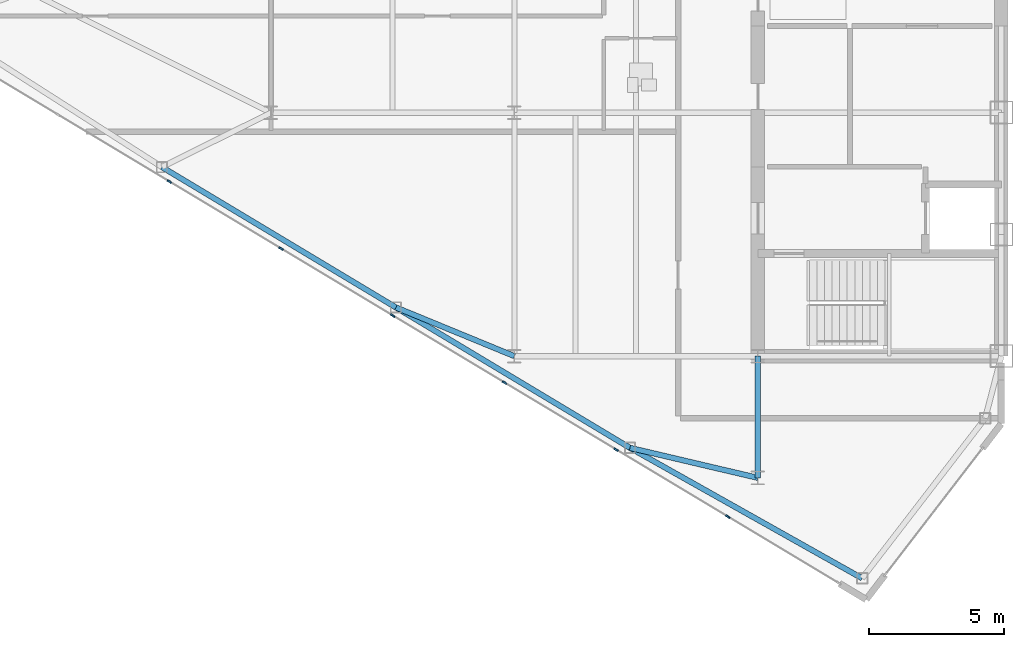
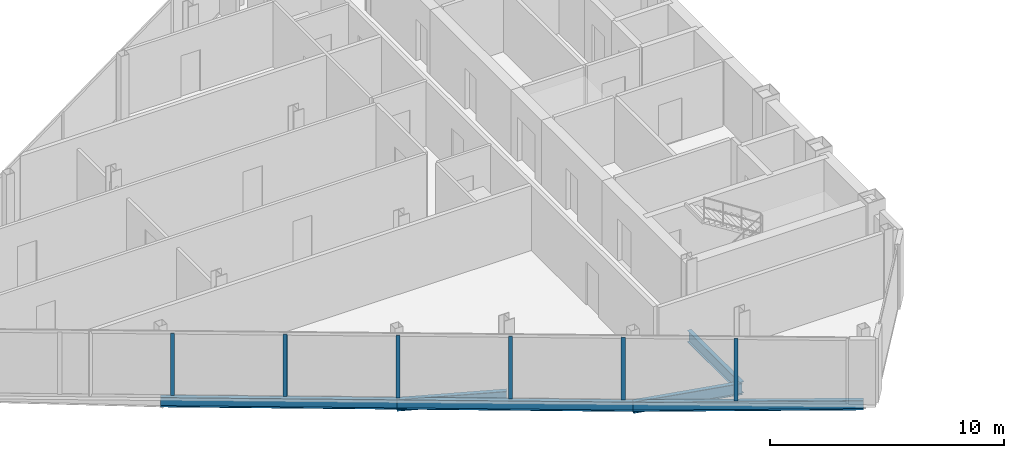
# One storey, part 5 of 25: 6 beams, 6 members, 1 element without a shape of its own.
"""IFC4 building model written with IfcOpenShell, lengths in metres."""

from ifc_helpers import new_model, si_unit, direction, frame, origin, origin_2d, place, context, subcontext, project, spatial, rectangle, i_section, extrude, source, transform, mapped, material, layer, layer_set, material_profile, profile_set, type_object, type_shapes, element, aggregate, save


model = new_model("IFC4")

# Units and contexts
model_context = context("Model", 3, precision=1e-05, world=origin(), true_north=direction((0.0, 1.0)))
body_context = subcontext(model_context, "Body", "Model", "MODEL_VIEW")
ifc_project = project(units=[si_unit("LENGTHUNIT", "METRE"), si_unit("AREAUNIT", "SQUARE_METRE"), si_unit("VOLUMEUNIT", "CUBIC_METRE"), si_unit("PLANEANGLEUNIT", "RADIAN"), si_unit("MASSUNIT", "GRAM", prefix="KILO")], contexts=[model_context])

# Site, building, storey
site_placement = place(None, origin())
site = spatial("IfcSite", under=ifc_project, at=site_placement, CompositionType="ELEMENT")
building_placement = place(site_placement, origin())
building = spatial("IfcBuilding", under=site, at=building_placement, Name="Seokmaru Belvedere", CompositionType="ELEMENT")
storey_placement = place(building_placement, frame((0.0, 0.0, 213.89990234375)))
storey = spatial("IfcBuildingStorey", under=building, at=storey_placement, Name="L57", CompositionType="ELEMENT", Elevation=213.89990234375)

# Beams
ifc_material_1 = material(Name="Steel SM355 (355 MPa)", Category="steel")
ifc_material_profile_1 = material_profile(ifc_material_1, i_section(OverallWidth=0.199951171875, OverallDepth=0.60009765625, WebThickness=0.010986328125, FlangeThickness=0.01708984375, at=origin_2d()), Name="H-600x200x11x17")
ifc_profile_set_1 = profile_set([ifc_material_profile_1], Name="Steel SM355 (355 MPa)")
beam_type_1 = type_object("IfcBeamType", Name="Primary Floor Girder H-600", PredefinedType="BEAM", material=ifc_profile_set_1)
shared_shape_1 = source(origin(), body_context, "Body", "SweptSolid", [
    extrude(i_section(OverallWidth=0.199951171875, OverallDepth=0.60009765625, WebThickness=0.010986328125, FlangeThickness=0.01708984375, at=origin_2d()), origin(), (0.0, 0.0, 1.0), 4.5),
])
beam_1_placement = place(storey_placement, frame((-36.5, -18.0, -0.52001953125), z_axis=(0.0, 1.0, 0.0), x_axis=(-1.0, 0.0, 0.0)))
element("IfcBeam", 1, at=beam_1_placement, inside=storey, type_object=beam_type_1, Name="L57 W Core Shoulder Girder S", PredefinedType="BEAM", context=body_context, shape_type="MappedRepresentation", body=[
    mapped(shared_shape_1, transform((0.0, 0.0, 0.0), scale=1.0)),
])
ifc_material_profile_2 = material_profile(ifc_material_1, i_section(OverallWidth=0.199951171875, OverallDepth=0.5, WebThickness=0.010009765625, FlangeThickness=0.01611328125, at=origin_2d()), Name="H-500x200x10x16")
ifc_profile_set_2 = profile_set([ifc_material_profile_2], Name="Steel SM355 (355 MPa)")
beam_type_2 = type_object("IfcBeamType", Name="Perimeter Spandrel Beam H-500", PredefinedType="SPANDREL", material=ifc_profile_set_2)
shared_shape_2 = source(origin(), body_context, "Body", "SweptSolid", [
    extrude(i_section(OverallWidth=0.199951171875, OverallDepth=0.5, WebThickness=0.010009765625, FlangeThickness=0.01611328125, at=origin_2d()), origin(), (0.0, 0.0, 1.0), 9.842041015625),
])
beam_2_placement = place(storey_placement, frame((-32.649658203125, -21.71044921875, -0.469970703125), z_axis=(-0.871782151818, 0.489893743349, 0.0), x_axis=(-0.489893743349, -0.871782151818, 0.0)))
element("IfcBeam", 2, at=beam_2_placement, inside=storey, type_object=beam_type_2, Name="L57 W Faceted Flank Spandrel S-1", PredefinedType="SPANDREL", context=body_context, shape_type="MappedRepresentation", body=[
    mapped(shared_shape_2, transform((0.0, 0.0, 0.0), scale=1.0)),
])
shared_shape_3 = source(origin(), body_context, "Body", "SweptSolid", [
    extrude(i_section(OverallWidth=0.199951171875, OverallDepth=0.5, WebThickness=0.010009765625, FlangeThickness=0.01611328125, at=origin_2d()), origin(), (0.0, 0.0, 1.0), 10.087646484375),
])
type_shapes(beam_type_2, [shared_shape_2, shared_shape_3])
for number, where, z_axis, x_axis, name in (
    (3, (-41.229736328125, -16.888916015625, -0.469970703125), (-0.857499332045, 0.514485078056, 0.0), (-0.514485078056, -0.857499332045, 0.0), "L57 W Faceted Flank Spandrel S-2"),
    (4, (-49.8798828125, -11.698974609375, -0.469970703125), (-0.857488654804, 0.514502873542, 0.0), (-0.514502873542, -0.857488654804, 0.0), "L57 W Faceted Flank Spandrel S-3"),
):
    element("IfcBeam", number, at=place(storey_placement, frame(where, z_axis=z_axis, x_axis=x_axis)), inside=storey, type_object=beam_type_2, Name=name, PredefinedType="SPANDREL", context=body_context, shape_type="MappedRepresentation", body=[
        mapped(shared_shape_3, transform((0.0, 0.0, 0.0), scale=1.0)),
    ])
shared_shape_4 = source(origin(), body_context, "Body", "SweptSolid", [
    extrude(i_section(OverallWidth=0.199951171875, OverallDepth=0.60009765625, WebThickness=0.010986328125, FlangeThickness=0.01708984375, at=origin_2d()), origin(), (0.0, 0.0, 1.0), 4.8583984375),
])
beam_3_placement = place(storey_placement, frame((-41.229736328125, -16.888916015625, -0.52001953125), z_axis=(0.97349948295, -0.228689214211, 0.0), x_axis=(0.228689214211, 0.97349948295, 0.0)))
element("IfcBeam", 5, at=beam_3_placement, inside=storey, type_object=beam_type_1, Name="L57 W Flank Radial Floor Girder S-1", PredefinedType="BEAM", context=body_context, shape_type="MappedRepresentation", body=[
    mapped(shared_shape_4, transform((0.0, 0.0, 0.0), scale=1.0)),
])
shared_shape_5 = source(origin(), body_context, "Body", "SweptSolid", [
    extrude(i_section(OverallWidth=0.199951171875, OverallDepth=0.60009765625, WebThickness=0.010986328125, FlangeThickness=0.01708984375, at=origin_2d()), origin(), (0.0, 0.0, 1.0), 4.73583984375),
])
type_shapes(beam_type_1, [shared_shape_1, shared_shape_4, shared_shape_5])
beam_4_placement = place(storey_placement, frame((-49.8798828125, -11.698974609375, -0.52001953125), z_axis=(0.924860562953, -0.380306375301, 0.0), x_axis=(0.380306375301, 0.924860562953, 0.0)))
element("IfcBeam", 6, at=beam_4_placement, inside=storey, type_object=beam_type_1, Name="L57 W Flank Radial Floor Girder S-2", PredefinedType="BEAM", context=body_context, shape_type="MappedRepresentation", body=[
    mapped(shared_shape_5, transform((0.0, 0.0, 0.0), scale=1.0)),
])

# Curtain wall, members
ifc_material_2 = material(Name="Bronze Triple Insulating Glass", Category="glass")
ifc_layer = layer(ifc_material_2, 0.179931640625)
ifc_layer_set = layer_set([ifc_layer], Name="Bronze Triple Insulating Glass")
curtain_wall_type = type_object("IfcCurtainWallType", Name="High-Rise Wind-Corner Curtain Wall System CW-5", PredefinedType="NOTDEFINED", material=ifc_layer_set)
curtain_wall_placement = place(storey_placement, origin())
curtain_wall = element("IfcCurtainWall", 7, at=curtain_wall_placement, inside=storey, type_object=curtain_wall_type, Name="L57 Curtain Wall WF5", PredefinedType="NOTDEFINED")
ifc_material_3 = material(Name="Anodised Bronze Aluminium", Category="aluminium")
ifc_material_profile_3 = material_profile(ifc_material_3, rectangle(XDim=0.06494140625, YDim=0.179931640625, at=origin_2d()), Name="CW-M-65x180")
ifc_profile_set_3 = profile_set([ifc_material_profile_3], Name="Anodised Bronze Aluminium")
member_type = type_object("IfcMemberType", Name="Bronze Unitised Mullion 65x180", PredefinedType="MULLION", material=ifc_profile_set_3)
shared_shape_6 = source(origin(), body_context, "Body", "SweptSolid", [
    extrude(rectangle(XDim=0.06494140625, YDim=0.179931640625, at=origin_2d()), origin(), (0.0, 0.0, 1.0), 3.25),
])
type_shapes(member_type, [shared_shape_6])
member_1_placement = place(storey_placement, frame((-58.257080078125, -7.0458984375, 0.065185546875), z_axis=(0.0, 0.0, 1.0), x_axis=(0.514494909364, 0.85749343335, 0.0)))
member_1 = element("IfcMember", 8, at=member_1_placement, type_object=member_type, Name="CW:L57:WF5 Mullion 3", PredefinedType="MULLION", context=body_context, shape_type="MappedRepresentation", body=[
    mapped(shared_shape_6, transform((0.0, 0.0, 0.0), scale=1.0)),
])
member_2_placement = place(storey_placement, frame((-54.12841796875, -9.52294921875, 0.065185546875), z_axis=(0.0, 0.0, 1.0), x_axis=(0.514494909364, 0.85749343335, 0.0)))
member_2 = element("IfcMember", 9, at=member_2_placement, type_object=member_type, Name="CW:L57:WF5 Mullion 4", PredefinedType="MULLION", context=body_context, shape_type="MappedRepresentation", body=[
    mapped(shared_shape_6, transform((0.0, 0.0, 0.0), scale=1.0)),
])
member_3_placement = place(storey_placement, frame((-50.0, -12.0, 0.065185546875), z_axis=(0.0, 0.0, 1.0), x_axis=(0.514494909364, 0.85749343335, 0.0)))
member_3 = element("IfcMember", 10, at=member_3_placement, type_object=member_type, Name="CW:L57:WF5 Mullion 5", PredefinedType="MULLION", context=body_context, shape_type="MappedRepresentation", body=[
    mapped(shared_shape_6, transform((0.0, 0.0, 0.0), scale=1.0)),
])
member_4_placement = place(storey_placement, frame((-45.87158203125, -14.47705078125, 0.065185546875), z_axis=(0.0, 0.0, 1.0), x_axis=(0.514494909364, 0.85749343335, 0.0)))
member_4 = element("IfcMember", 11, at=member_4_placement, type_object=member_type, Name="CW:L57:WF5 Mullion 6", PredefinedType="MULLION", context=body_context, shape_type="MappedRepresentation", body=[
    mapped(shared_shape_6, transform((0.0, 0.0, 0.0), scale=1.0)),
])
member_5_placement = place(storey_placement, frame((-41.742919921875, -16.9541015625, 0.065185546875), z_axis=(0.0, 0.0, 1.0), x_axis=(0.514494909364, 0.85749343335, 0.0)))
member_5 = element("IfcMember", 12, at=member_5_placement, type_object=member_type, Name="CW:L57:WF5 Mullion 7", PredefinedType="MULLION", context=body_context, shape_type="MappedRepresentation", body=[
    mapped(shared_shape_6, transform((0.0, 0.0, 0.0), scale=1.0)),
])
member_6_placement = place(storey_placement, frame((-37.614501953125, -19.43115234375, 0.065185546875), z_axis=(0.0, 0.0, 1.0), x_axis=(0.514494909364, 0.85749343335, 0.0)))
member_6 = element("IfcMember", 13, at=member_6_placement, type_object=member_type, Name="CW:L57:WF5 Mullion 8", PredefinedType="MULLION", context=body_context, shape_type="MappedRepresentation", body=[
    mapped(shared_shape_6, transform((0.0, 0.0, 0.0), scale=1.0)),
])
aggregate(curtain_wall, [member_1, member_2, member_3, member_4, member_5, member_6])

save(model, "model.ifc")
